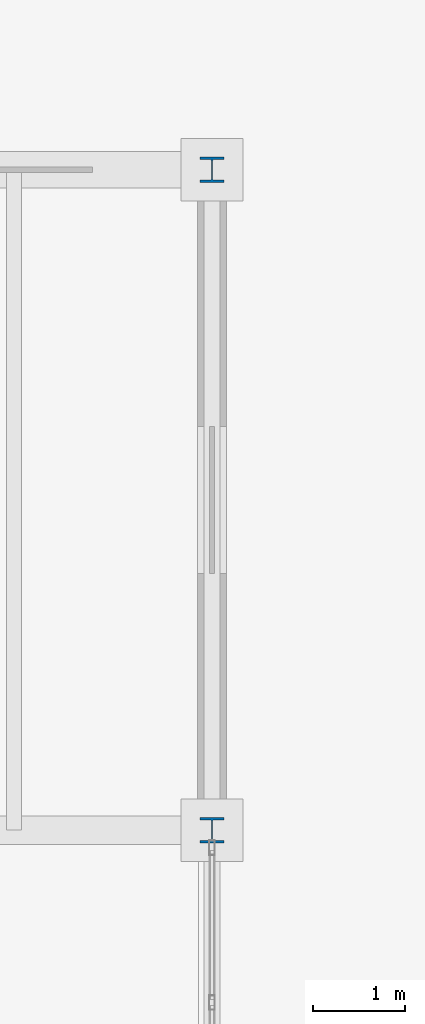
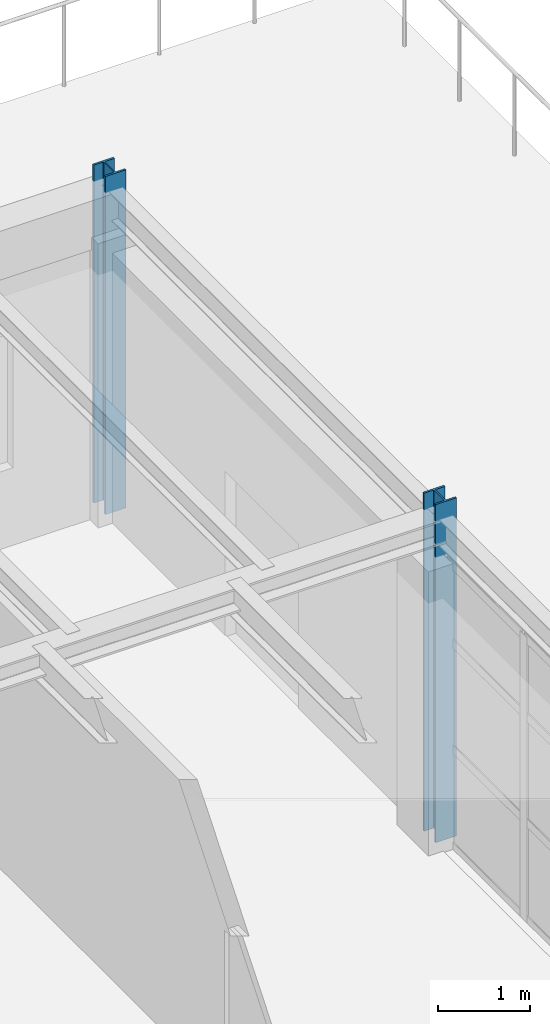
# One storey, part 10 of 101: 2 columns.
"""IFC4 building model written with IfcOpenShell, lengths in metres."""

from ifc_helpers import new_model, si_unit, direction, frame, origin, origin_2d, place, context, subcontext, project, spatial, i_section, extrude, material, material_profile, profile_set, type_object, element, save


model = new_model("IFC4")

# Units and contexts
model_context = context("Model", 3, precision=1e-05, world=origin(), true_north=direction((0.0, 1.0)))
body_context = subcontext(model_context, "Body", "Model", "MODEL_VIEW")
ifc_project = project(units=[si_unit("LENGTHUNIT", "METRE"), si_unit("AREAUNIT", "SQUARE_METRE"), si_unit("VOLUMEUNIT", "CUBIC_METRE"), si_unit("PLANEANGLEUNIT", "RADIAN"), si_unit("MASSUNIT", "GRAM", prefix="KILO")], contexts=[model_context])

# Site, building, storey
site_placement = place(None, origin())
site = spatial("IfcSite", under=ifc_project, at=site_placement, CompositionType="ELEMENT")
building_placement = place(site_placement, origin())
building = spatial("IfcBuilding", under=site, at=building_placement, Name="Kemerveld Promenade Tramway Depot", CompositionType="ELEMENT")
storey_placement = place(building_placement, frame((0.0, 0.0, 9.89990234375)))
storey = spatial("IfcBuildingStorey", under=building, at=storey_placement, Name="L02", CompositionType="ELEMENT", Elevation=9.89990234375)

# Columns
ifc_material = material(Name="Steel S355", Category="steel")
ifc_material_profile = material_profile(ifc_material, i_section(OverallWidth=0.26123046875, OverallDepth=0.2763671875, WebThickness=0.015380859375, FlangeThickness=0.025390625, FilletRadius=0.0126953125, at=origin_2d()), Name="254x254x132 UC")
ifc_profile_set = profile_set([ifc_material_profile], Name="Steel S355")
column_type = type_object("IfcColumnType", Name="COL-S07", PredefinedType="COLUMN", material=ifc_profile_set)
for number, where, z_axis, x_axis, name in (
    (1, (50.39990234375, 64.800048828125, 0.0), (0.0, 0.0, 1.0), (1.0, 0.0, 0.0), "COL-L02-08-K"),
    (2, (50.39990234375, 72.0, 0.0), (0.0, 0.0, 1.0), (1.0, 0.0, 0.0), "COL-L02-08-L"),
):
    element("IfcColumn", number, at=place(storey_placement, frame(where, z_axis=z_axis, x_axis=x_axis)), inside=storey, type_object=column_type, Name=name, PredefinedType="COLUMN", context=body_context, shape_type="SweptSolid", body=[
        extrude(i_section(OverallWidth=0.26123046875, OverallDepth=0.2763671875, WebThickness=0.015380859375, FlangeThickness=0.025390625, FilletRadius=0.0126953125, at=origin_2d()), origin(), (0.0, 0.0, 1.0), 4.5),
    ])

save(model, "model.ifc")
